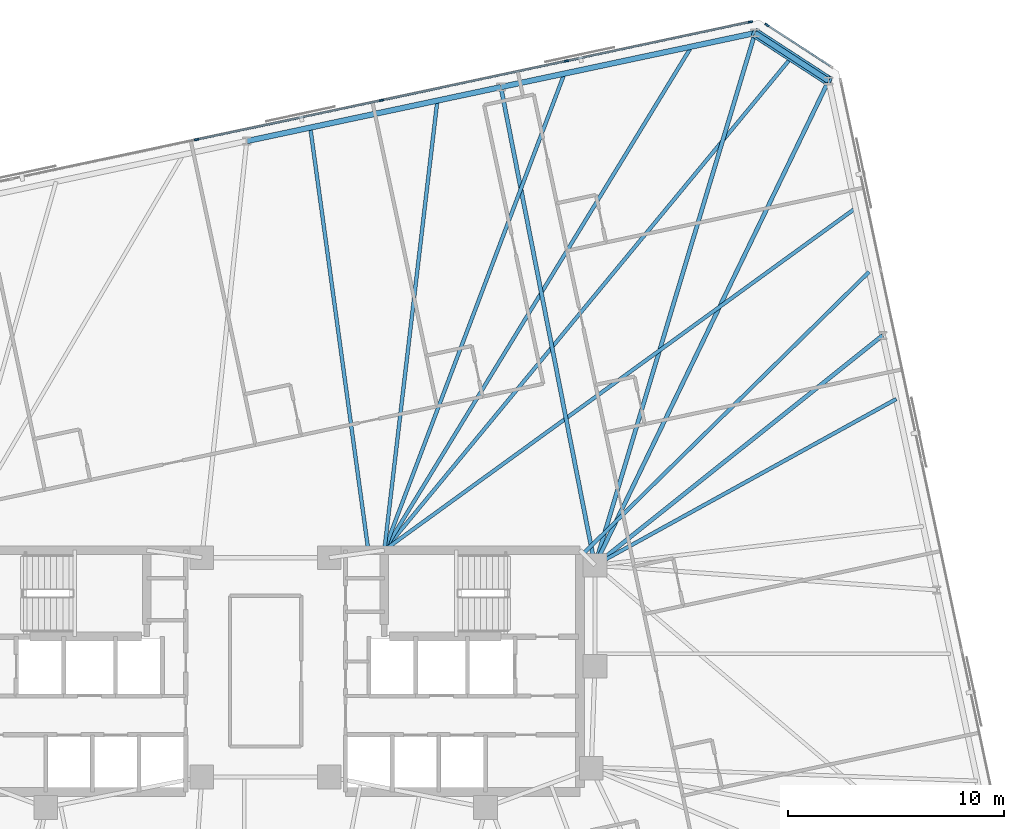
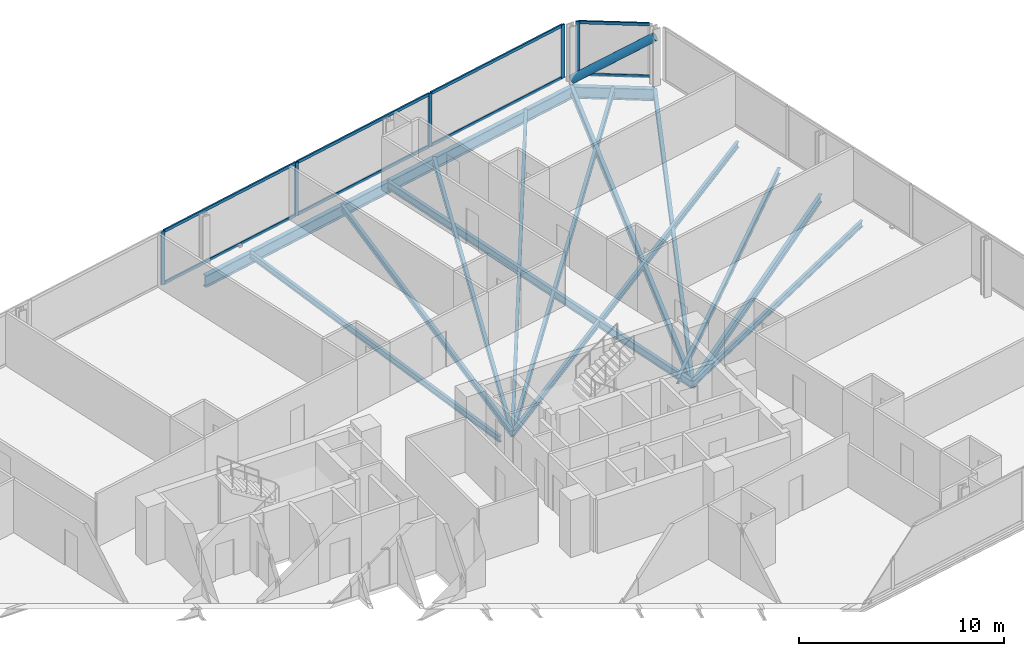
# One storey, part 11 of 20: 15 beams, 14 members, 2 elements without a shape of their own.
"""IFC4 building model written with IfcOpenShell, lengths in metres."""

from ifc_helpers import new_model, si_unit, direction, frame, origin, origin_2d, place, context, subcontext, project, spatial, rectangle, hollow_circle, i_section, extrude, material, material_profile, profile_set, type_object, element, aggregate, save


model = new_model("IFC4")

# Units and contexts
model_context = context("Model", 3, precision=1e-05, world=origin(), true_north=direction((0.0, 1.0)))
body_context = subcontext(model_context, "Body", "Model", "MODEL_VIEW")
ifc_project = project(units=[si_unit("LENGTHUNIT", "METRE"), si_unit("AREAUNIT", "SQUARE_METRE"), si_unit("VOLUMEUNIT", "CUBIC_METRE"), si_unit("PLANEANGLEUNIT", "RADIAN"), si_unit("MASSUNIT", "GRAM", prefix="KILO")], contexts=[model_context])

# Site, building, storey
site_placement = place(None, origin())
site = spatial("IfcSite", under=ifc_project, at=site_placement, CompositionType="ELEMENT")
building_placement = place(site_placement, origin())
building = spatial("IfcBuilding", under=site, at=building_placement, Name="Menara Jurai Vektor", CompositionType="ELEMENT")
storey_placement = place(building_placement, frame((0.0, 0.0, 175.199951171875)))
storey = spatial("IfcBuildingStorey", under=building, at=storey_placement, Name="L45", CompositionType="ELEMENT", Elevation=175.199951171875)

# Curtain wall, member
ifc_material_1 = material(Name="Anodised Pale Aluminium & Low-E Double Glazing", Category="aluminium")
curtain_wall_type = type_object("IfcCurtainWallType", Name="CW-BLK3", PredefinedType="NOTDEFINED", material=ifc_material_1)
curtain_wall_1_placement = place(storey_placement, origin())
curtain_wall_1 = element("IfcCurtainWall", 1, at=curtain_wall_1_placement, inside=storey, type_object=curtain_wall_type, Name="Unitised Curtain Wall L45 F08", PredefinedType="NOTDEFINED")
ifc_material_2 = material(Name="Anodised Pale Aluminium Mullion", Category="aluminium")
ifc_material_profile_1 = material_profile(ifc_material_2, rectangle(XDim=0.0849609375, YDim=0.205078125, at=origin_2d()), Name="ALU MUL 85x205")
ifc_profile_set_1 = profile_set([ifc_material_profile_1], Name="Anodised Pale Aluminium Mullion")
member_type_1 = type_object("IfcMemberType", Name="CW-BLK3-MUL", PredefinedType="MULLION", material=ifc_profile_set_1)
member_1_placement = place(storey_placement, frame((23.219970703125, 29.920654296875, 0.0), z_axis=(0.0, 0.0, 1.0), x_axis=(-0.544617794346, -0.838684361415, 0.0)))
member_1 = element("IfcMember", 2, at=member_1_placement, type_object=member_type_1, Name="CW-03 mullion 2", PredefinedType="MULLION", context=body_context, shape_type="SweptSolid", body=[
    extrude(rectangle(XDim=0.0849609375, YDim=0.205078125, at=origin_2d()), origin(), (0.0, 0.0, 1.0), 3.175048828125),
])

# Curtain wall, members
curtain_wall_2_placement = place(storey_placement, origin())
curtain_wall_2 = element("IfcCurtainWall", 3, at=curtain_wall_2_placement, inside=storey, type_object=curtain_wall_type, Name="Unitised Curtain Wall L45 F09", PredefinedType="NOTDEFINED")
member_2_placement = place(storey_placement, frame((22.452392578125, 30.062744140625, 0.0), z_axis=(0.0, 0.0, 1.0), x_axis=(0.207911336439, -0.978147676059, 0.0)))
member_2 = element("IfcMember", 4, at=member_2_placement, type_object=member_type_1, Name="CW-03 mullion 1", PredefinedType="MULLION", context=body_context, shape_type="SweptSolid", body=[
    extrude(rectangle(XDim=0.0849609375, YDim=0.205078125, at=origin_2d()), origin(), (0.0, 0.0, 1.0), 3.175048828125),
])
member_3_placement = place(storey_placement, frame((13.931884765625, 28.251708984375, 0.0), z_axis=(0.0, 0.0, 1.0), x_axis=(0.207911336439, -0.978147676059, 0.0)))
member_3 = element("IfcMember", 5, at=member_3_placement, type_object=member_type_1, Name="CW-03 mullion 2", PredefinedType="MULLION", context=body_context, shape_type="SweptSolid", body=[
    extrude(rectangle(XDim=0.0849609375, YDim=0.205078125, at=origin_2d()), origin(), (0.0, 0.0, 1.0), 3.175048828125),
])
member_4_placement = place(storey_placement, frame((5.369873046875, 26.431884765625, 0.0), z_axis=(0.0, 0.0, 1.0), x_axis=(0.207911336439, -0.978147676059, 0.0)))
member_4 = element("IfcMember", 6, at=member_4_placement, type_object=member_type_1, Name="CW-03 mullion 3", PredefinedType="MULLION", context=body_context, shape_type="SweptSolid", body=[
    extrude(rectangle(XDim=0.0849609375, YDim=0.205078125, at=origin_2d()), origin(), (0.0, 0.0, 1.0), 3.175048828125),
])
member_5_placement = place(storey_placement, frame((-3.192138671875, 24.612060546875, 0.0), z_axis=(0.0, 0.0, 1.0), x_axis=(0.207911336439, -0.978147676059, 0.0)))
member_5 = element("IfcMember", 7, at=member_5_placement, type_object=member_type_1, Name="CW-03 mullion 4", PredefinedType="MULLION", context=body_context, shape_type="SweptSolid", body=[
    extrude(rectangle(XDim=0.0849609375, YDim=0.205078125, at=origin_2d()), origin(), (0.0, 0.0, 1.0), 3.175048828125),
])

# Member
ifc_material_3 = material(Name="Anodised Pale Aluminium Transom", Category="aluminium")
ifc_material_profile_2 = material_profile(ifc_material_3, rectangle(XDim=0.0849609375, YDim=0.175048828125, at=origin_2d()), Name="ALU TRN 85x175")
ifc_profile_set_2 = profile_set([ifc_material_profile_2], Name="Anodised Pale Aluminium Transom")
member_type_2 = type_object("IfcMemberType", Name="CW-BLK3-TRN", PredefinedType="USERDEFINED", material=ifc_profile_set_2)
member_6_placement = place(storey_placement, frame((26.15234375, 28.016357421875, 0.04248046875), z_axis=(-0.83867770631, 0.54462804274, 0.0), x_axis=(-0.54462804274, -0.83867770631, 0.0)))
member_6 = element("IfcMember", 8, at=member_6_placement, type_object=member_type_2, Name="CW-03 transom 1.1", ObjectType="TRANSOM", PredefinedType="USERDEFINED", context=body_context, shape_type="SweptSolid", body=[
    extrude(rectangle(XDim=0.0849609375, YDim=0.175048828125, at=origin_2d()), origin(), (0.0, 0.0, 1.0), 3.453857421875),
])

member_7_placement = place(storey_placement, frame((26.15234375, 28.016357421875, 3.132568359375), z_axis=(-0.83867770631, 0.54462804274, 0.0), x_axis=(-0.54462804274, -0.83867770631, 0.0)))
member_7 = element("IfcMember", 9, at=member_7_placement, type_object=member_type_2, Name="CW-03 transom 1.2", ObjectType="TRANSOM", PredefinedType="USERDEFINED", context=body_context, shape_type="SweptSolid", body=[
    extrude(rectangle(XDim=0.0849609375, YDim=0.175048828125, at=origin_2d()), origin(), (0.0, 0.0, 1.0), 3.453857421875),
])

aggregate(curtain_wall_1, [member_1, member_6, member_7])

member_8_placement = place(storey_placement, frame((22.41064453125, 30.053955078125, 0.04248046875), z_axis=(-0.97814611688, -0.20791867168, 0.0), x_axis=(0.20791867168, -0.97814611688, 0.0)))
member_8 = element("IfcMember", 10, at=member_8_placement, type_object=member_type_2, Name="CW-03 transom 1.1", ObjectType="TRANSOM", PredefinedType="USERDEFINED", context=body_context, shape_type="SweptSolid", body=[
    extrude(rectangle(XDim=0.0849609375, YDim=0.175048828125, at=origin_2d()), origin(), (0.0, 0.0, 1.0), 8.625732421875),
])

member_9_placement = place(storey_placement, frame((22.41064453125, 30.053955078125, 3.132568359375), z_axis=(-0.97814611688, -0.20791867168, 0.0), x_axis=(0.20791867168, -0.97814611688, 0.0)))
member_9 = element("IfcMember", 11, at=member_9_placement, type_object=member_type_2, Name="CW-03 transom 1.2", ObjectType="TRANSOM", PredefinedType="USERDEFINED", context=body_context, shape_type="SweptSolid", body=[
    extrude(rectangle(XDim=0.0849609375, YDim=0.175048828125, at=origin_2d()), origin(), (0.0, 0.0, 1.0), 8.625732421875),
])

member_10_placement = place(storey_placement, frame((13.890380859375, 28.242919921875, 0.04248046875), z_axis=(-0.978148112715, -0.207909282121, 0.0), x_axis=(0.207909282121, -0.978148112715, 0.0)))
member_10 = element("IfcMember", 12, at=member_10_placement, type_object=member_type_2, Name="CW-03 transom 2.1", ObjectType="TRANSOM", PredefinedType="USERDEFINED", context=body_context, shape_type="SweptSolid", body=[
    extrude(rectangle(XDim=0.0849609375, YDim=0.175048828125, at=origin_2d()), origin(), (0.0, 0.0, 1.0), 8.66845703125),
])

member_11_placement = place(storey_placement, frame((13.890380859375, 28.242919921875, 3.132568359375), z_axis=(-0.978148112715, -0.207909282121, 0.0), x_axis=(0.207909282121, -0.978148112715, 0.0)))
member_11 = element("IfcMember", 13, at=member_11_placement, type_object=member_type_2, Name="CW-03 transom 2.2", ObjectType="TRANSOM", PredefinedType="USERDEFINED", context=body_context, shape_type="SweptSolid", body=[
    extrude(rectangle(XDim=0.0849609375, YDim=0.175048828125, at=origin_2d()), origin(), (0.0, 0.0, 1.0), 8.66845703125),
])

member_12_placement = place(storey_placement, frame((5.328125, 26.423095703125, 0.04248046875), z_axis=(-0.978146895225, -0.20791500995, 0.0), x_axis=(0.20791500995, -0.978146895225, 0.0)))
member_12 = element("IfcMember", 14, at=member_12_placement, type_object=member_type_2, Name="CW-03 transom 3.1", ObjectType="TRANSOM", PredefinedType="USERDEFINED", context=body_context, shape_type="SweptSolid", body=[
    extrude(rectangle(XDim=0.0849609375, YDim=0.175048828125, at=origin_2d()), origin(), (0.0, 0.0, 1.0), 8.668212890625),
])

member_13_placement = place(storey_placement, frame((5.328125, 26.423095703125, 3.132568359375), z_axis=(-0.978146895225, -0.20791500995, 0.0), x_axis=(0.20791500995, -0.978146895225, 0.0)))
member_13 = element("IfcMember", 15, at=member_13_placement, type_object=member_type_2, Name="CW-03 transom 3.2", ObjectType="TRANSOM", PredefinedType="USERDEFINED", context=body_context, shape_type="SweptSolid", body=[
    extrude(rectangle(XDim=0.0849609375, YDim=0.175048828125, at=origin_2d()), origin(), (0.0, 0.0, 1.0), 8.668212890625),
])

aggregate(curtain_wall_2, [member_2, member_3, member_4, member_5, member_8, member_9, member_10, member_11, member_12, member_13])

# Beams
ifc_material_4 = material(Name="Steel S355", Category="steel")
ifc_material_profile_3 = material_profile(ifc_material_4, i_section(OverallWidth=0.19091796875, OverallDepth=0.4599609375, WebThickness=0.010009765625, FlangeThickness=0.01611328125, FilletRadius=0.010009765625, at=origin_2d()), Name="UKB 457x191x82")
ifc_profile_set_3 = profile_set([ifc_material_profile_3], Name="Steel S355")
beam_type_1 = type_object("IfcBeamType", Name="STR-BM-457", PredefinedType="BEAM", material=ifc_profile_set_3)
beam_1_placement = place(storey_placement, frame((28.5771484375, 15.544921875, -0.454833984375), z_axis=(-0.781346163898, -0.624097886683, 0.0), x_axis=(0.624097886683, -0.781346163898, 0.0)))
element("IfcBeam", 16, at=beam_1_placement, inside=storey, type_object=beam_type_1, Name="Radial Floor Girder L45-E3", PredefinedType="BEAM", context=body_context, shape_type="SweptSolid", body=[
    extrude(i_section(OverallWidth=0.19091796875, OverallDepth=0.4599609375, WebThickness=0.010009765625, FlangeThickness=0.01611328125, FilletRadius=0.010009765625, at=origin_2d()), origin(), (0.0, 0.0, 1.0), 17.056640625),
])
beam_2_placement = place(storey_placement, frame((26.0712890625, 27.33349609375, -0.454833984375), z_axis=(-0.434465059539, -0.900688687639, 0.0), x_axis=(0.900688687639, -0.434465059539, 0.0)))
element("IfcBeam", 17, at=beam_2_placement, inside=storey, type_object=beam_type_1, Name="Radial Floor Girder L45-E4", PredefinedType="BEAM", context=body_context, shape_type="SweptSolid", body=[
    extrude(i_section(OverallWidth=0.19091796875, OverallDepth=0.4599609375, WebThickness=0.010009765625, FlangeThickness=0.01611328125, FilletRadius=0.010009765625, at=origin_2d()), origin(), (0.0, 0.0, 1.0), 24.9072265625),
])
beam_3_placement = place(storey_placement, frame((22.664794921875, 29.545654296875, -0.454833984375), z_axis=(-0.288098843548, -0.957600676872, 0.0), x_axis=(0.957600676872, -0.288098843548, 0.0)))
element("IfcBeam", 18, at=beam_3_placement, inside=storey, type_object=beam_type_1, Name="Radial Floor Girder L45-N1", PredefinedType="BEAM", context=body_context, shape_type="SweptSolid", body=[
    extrude(i_section(OverallWidth=0.19091796875, OverallDepth=0.4599609375, WebThickness=0.010009765625, FlangeThickness=0.01611328125, FilletRadius=0.010009765625, at=origin_2d()), origin(), (0.0, 0.0, 1.0), 25.737060546875),
])
beam_4_placement = place(storey_placement, frame((10.896484375, 27.044189453125, -0.454833984375), z_axis=(0.192905075816, -0.981217423268, 0.0), x_axis=(0.981217423268, 0.192905075816, 0.0)))
element("IfcBeam", 19, at=beam_4_placement, inside=storey, type_object=beam_type_1, Name="Radial Floor Girder L45-N2", PredefinedType="BEAM", context=body_context, shape_type="SweptSolid", body=[
    extrude(i_section(OverallWidth=0.19091796875, OverallDepth=0.4599609375, WebThickness=0.010009765625, FlangeThickness=0.01611328125, FilletRadius=0.010009765625, at=origin_2d()), origin(), (0.0, 0.0, 1.0), 22.568115234375),
])

# Member
ifc_material_5 = material(Name="Steel S460", Category="steel")
ifc_material_profile_4 = material_profile(ifc_material_5, hollow_circle(Radius=0.228515625, WallThickness=0.01611328125, at=origin_2d()), Name="CHS 457x16")
ifc_profile_set_4 = profile_set([ifc_material_profile_4], Name="Steel S460")
member_type_3 = type_object("IfcMemberType", Name="STR-BR-457", PredefinedType="BRACE", material=ifc_profile_set_4)
member_14_placement = place(storey_placement, frame((22.664794921875, 29.545654296875, 0.150146484375), z_axis=(0.700438157158, -0.454860613632, 0.549989281862), x_axis=(0.544631249681, 0.838675623749, 0.0)))
element("IfcMember", 20, at=member_14_placement, inside=storey, type_object=member_type_3, Name="Exoskeleton Corner Brace L45-2", PredefinedType="BRACE", context=body_context, shape_type="SweptSolid", body=[
    extrude(hollow_circle(Radius=0.228515625, WallThickness=0.01611328125, at=origin_2d()), origin(), (0.0, 0.0, 1.0), 4.86328125),
])

# Beams
ifc_material_profile_5 = material_profile(ifc_material_4, i_section(OverallWidth=0.172119140625, OverallDepth=0.35498046875, WebThickness=0.007080078125, FlangeThickness=0.011962890625, FilletRadius=0.010009765625, at=origin_2d()), Name="UKB 356x171x51")
ifc_profile_set_5 = profile_set([ifc_material_profile_5], Name="Steel S355")
beam_type_2 = type_object("IfcBeamType", Name="STR-JS-356", PredefinedType="JOIST", material=ifc_profile_set_5)
beam_5_placement = place(storey_placement, frame((29.20361328125, 12.597900390625, -0.40234375), z_axis=(-0.875592207488, -0.483051018202, 0.0), x_axis=(0.483051018202, -0.875592207488, 0.0)))
element("IfcBeam", 21, at=beam_5_placement, inside=storey, type_object=beam_type_2, Name="Radial Secondary Floor Joist L45-JS14", PredefinedType="JOIST", context=body_context, shape_type="SweptSolid", body=[
    extrude(i_section(OverallWidth=0.172119140625, OverallDepth=0.35498046875, WebThickness=0.007080078125, FlangeThickness=0.011962890625, FilletRadius=0.010009765625, at=origin_2d()), origin(), (0.0, 0.0, 1.0), 15.936279296875),
])
beam_6_placement = place(storey_placement, frame((27.95068359375, 18.4921875, -0.40234375), z_axis=(-0.712171791789, -0.702005227174, 0.0), x_axis=(0.702005227174, -0.712171791789, 0.0)))
element("IfcBeam", 22, at=beam_6_placement, inside=storey, type_object=beam_type_2, Name="Radial Secondary Floor Joist L45-JS15", PredefinedType="JOIST", context=body_context, shape_type="SweptSolid", body=[
    extrude(i_section(OverallWidth=0.172119140625, OverallDepth=0.35498046875, WebThickness=0.007080078125, FlangeThickness=0.011962890625, FilletRadius=0.010009765625, at=origin_2d()), origin(), (0.0, 0.0, 1.0), 18.5869140625),
])
beam_7_placement = place(storey_placement, frame((27.32421875, 21.439208984375, -0.40234375), z_axis=(-0.809318640486, -0.587369847848, 0.0), x_axis=(0.587369847848, -0.809318640486, 0.0)))
element("IfcBeam", 23, at=beam_7_placement, inside=storey, type_object=beam_type_2, Name="Radial Secondary Floor Joist L45-JS16", PredefinedType="JOIST", context=body_context, shape_type="SweptSolid", body=[
    extrude(i_section(OverallWidth=0.172119140625, OverallDepth=0.35498046875, WebThickness=0.007080078125, FlangeThickness=0.011962890625, FilletRadius=0.010009765625, at=origin_2d()), origin(), (0.0, 0.0, 1.0), 26.966064453125),
])
beam_8_placement = place(storey_placement, frame((24.3681640625, 28.439697265625, -0.40234375), z_axis=(-0.636894863934, -0.770950667873, 0.0), x_axis=(0.770950667873, -0.636894863934, 0.0)))
element("IfcBeam", 24, at=beam_8_placement, inside=storey, type_object=beam_type_2, Name="Radial Secondary Floor Joist L45-JS17", PredefinedType="JOIST", context=body_context, shape_type="SweptSolid", body=[
    extrude(i_section(OverallWidth=0.172119140625, OverallDepth=0.35498046875, WebThickness=0.007080078125, FlangeThickness=0.011962890625, FilletRadius=0.010009765625, at=origin_2d()), origin(), (0.0, 0.0, 1.0), 29.625244140625),
])
beam_9_placement = place(storey_placement, frame((19.72265625, 28.92041015625, -0.40234375), z_axis=(-0.520686242997, -0.8537481106, 0.0), x_axis=(0.8537481106, -0.520686242997, 0.0)))
element("IfcBeam", 25, at=beam_9_placement, inside=storey, type_object=beam_type_2, Name="Radial Secondary Floor Joist L45-JS18", PredefinedType="JOIST", context=body_context, shape_type="SweptSolid", body=[
    extrude(i_section(OverallWidth=0.172119140625, OverallDepth=0.35498046875, WebThickness=0.007080078125, FlangeThickness=0.011962890625, FilletRadius=0.010009765625, at=origin_2d()), origin(), (0.0, 0.0, 1.0), 27.315185546875),
])
beam_10_placement = place(storey_placement, frame((13.838623046875, 27.669677734375, -0.40234375), z_axis=(-0.353446048928, -0.935454910991, 0.0), x_axis=(0.935454910991, -0.353446048928, 0.0)))
element("IfcBeam", 26, at=beam_10_placement, inside=storey, type_object=beam_type_2, Name="Radial Secondary Floor Joist L45-JS19", PredefinedType="JOIST", context=body_context, shape_type="SweptSolid", body=[
    extrude(i_section(OverallWidth=0.172119140625, OverallDepth=0.35498046875, WebThickness=0.007080078125, FlangeThickness=0.011962890625, FilletRadius=0.010009765625, at=origin_2d()), origin(), (0.0, 0.0, 1.0), 23.59228515625),
])
beam_11_placement = place(storey_placement, frame((7.95458984375, 26.4189453125, -0.40234375), z_axis=(-0.117091260338, -0.99312115915, 0.0), x_axis=(0.99312115915, -0.117091260338, 0.0)))
element("IfcBeam", 27, at=beam_11_placement, inside=storey, type_object=beam_type_2, Name="Radial Secondary Floor Joist L45-JS20", PredefinedType="JOIST", context=body_context, shape_type="SweptSolid", body=[
    extrude(i_section(OverallWidth=0.172119140625, OverallDepth=0.35498046875, WebThickness=0.007080078125, FlangeThickness=0.011962890625, FilletRadius=0.010009765625, at=origin_2d()), origin(), (0.0, 0.0, 1.0), 20.963134765625),
])
beam_12_placement = place(storey_placement, frame((2.0703125, 25.168212890625, -0.40234375), z_axis=(0.135985700778, -0.990710799973, 0.0), x_axis=(0.990710799973, 0.135985700778, 0.0)))
element("IfcBeam", 28, at=beam_12_placement, inside=storey, type_object=beam_type_2, Name="Radial Secondary Floor Joist L45-JS21", PredefinedType="JOIST", context=body_context, shape_type="SweptSolid", body=[
    extrude(i_section(OverallWidth=0.172119140625, OverallDepth=0.35498046875, WebThickness=0.007080078125, FlangeThickness=0.011962890625, FilletRadius=0.010009765625, at=origin_2d()), origin(), (0.0, 0.0, 1.0), 19.852783203125),
])
ifc_material_profile_6 = material_profile(ifc_material_5, i_section(OverallWidth=0.256103515625, OverallDepth=0.693115234375, WebThickness=0.013916015625, FlangeThickness=0.02392578125, FilletRadius=0.014892578125, at=origin_2d()), Name="UKB 686x254x170")
ifc_profile_set_6 = profile_set([ifc_material_profile_6], Name="Steel S460")
beam_type_3 = type_object("IfcBeamType", Name="STR-SP-686", PredefinedType="SPANDREL", material=ifc_profile_set_6)
beam_13_placement = place(storey_placement, frame((26.0712890625, 27.33349609375, -0.571533203125), z_axis=(-0.838675623749, 0.544631249681, 0.0), x_axis=(-0.544631249681, -0.838675623749, 0.0)))
element("IfcBeam", 29, at=beam_13_placement, inside=storey, type_object=beam_type_3, Name="Exoskeleton Spandrel Beam L45-10", PredefinedType="SPANDREL", context=body_context, shape_type="SweptSolid", body=[
    extrude(i_section(OverallWidth=0.256103515625, OverallDepth=0.693115234375, WebThickness=0.013916015625, FlangeThickness=0.02392578125, FilletRadius=0.014892578125, at=origin_2d()), origin(), (0.0, 0.0, 1.0), 4.061767578125),
])
beam_14_placement = place(storey_placement, frame((22.664794921875, 29.545654296875, -0.571533203125), z_axis=(-0.978147039247, -0.207914332389, 0.0), x_axis=(0.207914332389, -0.978147039247, 0.0)))
element("IfcBeam", 30, at=beam_14_placement, inside=storey, type_object=beam_type_3, Name="Exoskeleton Spandrel Beam L45-11", PredefinedType="SPANDREL", context=body_context, shape_type="SweptSolid", body=[
    extrude(i_section(OverallWidth=0.256103515625, OverallDepth=0.693115234375, WebThickness=0.013916015625, FlangeThickness=0.02392578125, FilletRadius=0.014892578125, at=origin_2d()), origin(), (0.0, 0.0, 1.0), 12.03125),
])
beam_15_placement = place(storey_placement, frame((10.896484375, 27.044189453125, -0.571533203125), z_axis=(-0.978150288855, -0.207899043801, 0.0), x_axis=(0.207899043801, -0.978150288855, 0.0)))
element("IfcBeam", 31, at=beam_15_placement, inside=storey, type_object=beam_type_3, Name="Exoskeleton Spandrel Beam L45-12", PredefinedType="SPANDREL", context=body_context, shape_type="SweptSolid", body=[
    extrude(i_section(OverallWidth=0.256103515625, OverallDepth=0.693115234375, WebThickness=0.013916015625, FlangeThickness=0.02392578125, FilletRadius=0.014892578125, at=origin_2d()), origin(), (0.0, 0.0, 1.0), 12.031005859375),
])

save(model, "model.ifc")
